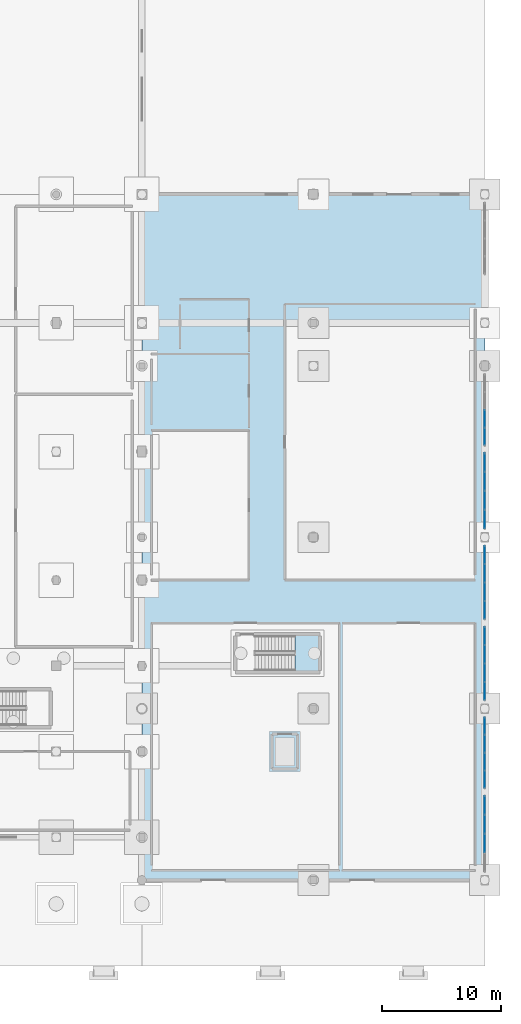
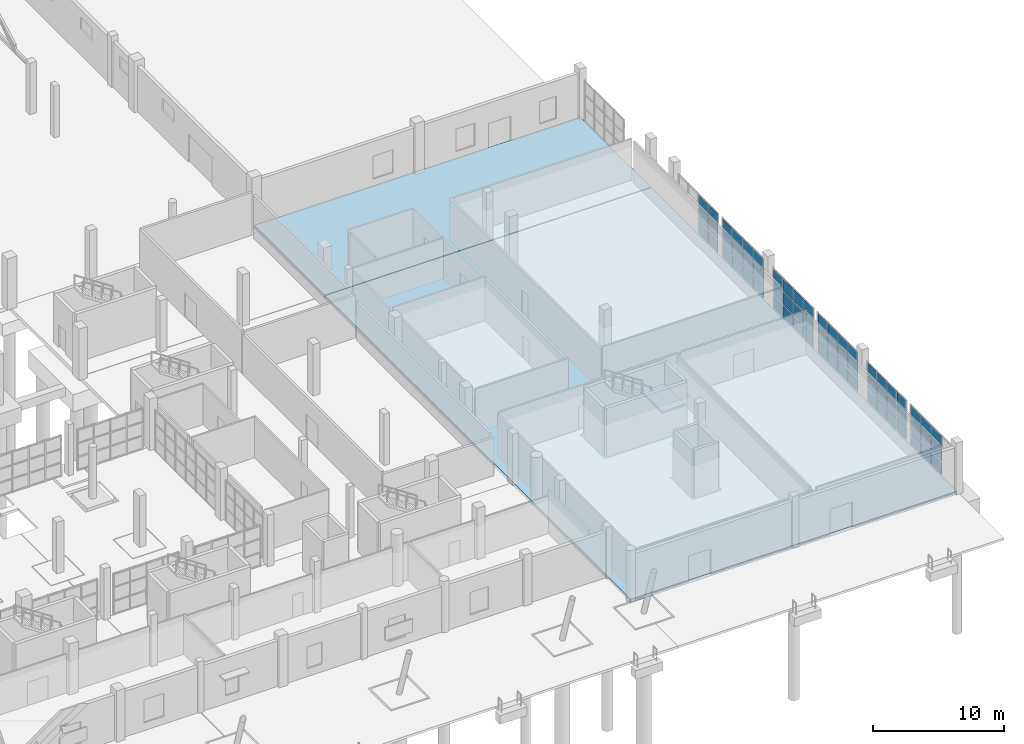
# One storey, part 184 of 285: 63 plates, 3 slabs, 7 elements without a shape of their own.
"""IFC4 building model written with IfcOpenShell, lengths in metres."""

from ifc_helpers import new_model, si_unit, direction, frame, origin, origin_2d, place, context, subcontext, project, spatial, polyline, rectangle, outline, extrude, material, layer, layer_set, type_object, element, aggregate, save


model = new_model("IFC4")

# Units and contexts
model_context = context("Model", 3, precision=1e-05, world=origin(), true_north=direction((0.0, 1.0)))
body_context = subcontext(model_context, "Body", "Model", "MODEL_VIEW")
ifc_project = project(units=[si_unit("LENGTHUNIT", "METRE"), si_unit("AREAUNIT", "SQUARE_METRE"), si_unit("VOLUMEUNIT", "CUBIC_METRE"), si_unit("PLANEANGLEUNIT", "RADIAN"), si_unit("MASSUNIT", "GRAM", prefix="KILO")], contexts=[model_context])

# Site, building, storey
site_placement = place(None, origin())
site = spatial("IfcSite", under=ifc_project, at=site_placement, CompositionType="ELEMENT")
building_placement = place(site_placement, origin())
building = spatial("IfcBuilding", under=site, at=building_placement, Name="Solanera Park Tramway Depot", CompositionType="ELEMENT")
storey_placement = place(building_placement, origin())
storey = spatial("IfcBuildingStorey", under=building, at=storey_placement, Name="L00", CompositionType="ELEMENT", Elevation=0.0)

# Curtain wall, plates
ifc_material_1 = material(Name="Bronze-anodised thermally broken aluminium curtain wall", Category="aluminium")
curtain_wall_type = type_object("IfcCurtainWallType", Name="Parkfront Loggia Curtain Wall", PredefinedType="NOTDEFINED", material=ifc_material_1)
curtain_wall_1_placement = place(storey_placement, origin())
curtain_wall_1 = element("IfcCurtainWall", 1, at=curtain_wall_1_placement, inside=storey, type_object=curtain_wall_type, Name="L00 Parkfront Loggia Curtain Wall #126", PredefinedType="NOTDEFINED")
ifc_material_2 = material(Name="Low-E laminated solar-control double glazing", Category="glass")
ifc_layer_1 = layer(ifc_material_2, 0.028076171875)
ifc_layer_set_1 = layer_set([ifc_layer_1], Name="Low-E laminated solar-control double glazing")
plate_type = type_object("IfcPlateType", Name="Curtain Wall Double Glazing Panel 28", PredefinedType="CURTAIN_PANEL", material=ifc_layer_set_1)
plate_1_placement = place(storey_placement, frame((216.0, 10.300048828125, 0.11181640625), z_axis=(0.0, 0.0, 1.0), x_axis=(0.0, 1.0, 0.0)))
plate_1 = element("IfcPlate", 2, at=plate_1_placement, type_object=plate_type, Name="CW-L00-126 Glazing Panel R1.C2", PredefinedType="CURTAIN_PANEL", context=body_context, shape_type="SweptSolid", body=[
    extrude(rectangle(XDim=1.548095703125, YDim=0.028076171875, at=origin_2d()), origin(), (0.0, 0.0, 1.0), 1.119384765625),
])
plate_2_placement = place(storey_placement, frame((216.0, 11.89990234375, 0.11181640625), z_axis=(0.0, 0.0, 1.0), x_axis=(0.0, 1.0, 0.0)))
plate_2 = element("IfcPlate", 3, at=plate_2_placement, type_object=plate_type, Name="CW-L00-126 Glazing Panel R1.C3", PredefinedType="CURTAIN_PANEL", context=body_context, shape_type="SweptSolid", body=[
    extrude(rectangle(XDim=1.548095703125, YDim=0.028076171875, at=origin_2d()), origin(), (0.0, 0.0, 1.0), 1.119384765625),
])
plate_3_placement = place(storey_placement, frame((216.0, 13.48388671875, 0.11181640625), z_axis=(0.0, 0.0, 1.0), x_axis=(0.0, 1.0, 0.0)))
plate_3 = element("IfcPlate", 4, at=plate_3_placement, type_object=plate_type, Name="CW-L00-126 Glazing Panel R1.C4", PredefinedType="CURTAIN_PANEL", context=body_context, shape_type="SweptSolid", body=[
    extrude(rectangle(XDim=1.515380859375, YDim=0.028076171875, at=origin_2d()), origin(), (0.0, 0.0, 1.0), 1.119384765625),
])
plate_4_placement = place(storey_placement, frame((216.0, 10.300048828125, 1.33544921875), z_axis=(0.0, 0.0, 1.0), x_axis=(0.0, 1.0, 0.0)))
plate_4 = element("IfcPlate", 5, at=plate_4_placement, type_object=plate_type, Name="CW-L00-126 Glazing Panel R2.C2", PredefinedType="CURTAIN_PANEL", context=body_context, shape_type="SweptSolid", body=[
    extrude(rectangle(XDim=1.548095703125, YDim=0.028076171875, at=origin_2d()), origin(), (0.0, 0.0, 1.0), 1.179443359375),
])
plate_5_placement = place(storey_placement, frame((216.0, 11.89990234375, 1.33544921875), z_axis=(0.0, 0.0, 1.0), x_axis=(0.0, 1.0, 0.0)))
plate_5 = element("IfcPlate", 6, at=plate_5_placement, type_object=plate_type, Name="CW-L00-126 Glazing Panel R2.C3", PredefinedType="CURTAIN_PANEL", context=body_context, shape_type="SweptSolid", body=[
    extrude(rectangle(XDim=1.548095703125, YDim=0.028076171875, at=origin_2d()), origin(), (0.0, 0.0, 1.0), 1.179443359375),
])
plate_6_placement = place(storey_placement, frame((216.0, 13.48388671875, 1.33544921875), z_axis=(0.0, 0.0, 1.0), x_axis=(0.0, 1.0, 0.0)))
plate_6 = element("IfcPlate", 7, at=plate_6_placement, type_object=plate_type, Name="CW-L00-126 Glazing Panel R2.C4", PredefinedType="CURTAIN_PANEL", context=body_context, shape_type="SweptSolid", body=[
    extrude(rectangle(XDim=1.515380859375, YDim=0.028076171875, at=origin_2d()), origin(), (0.0, 0.0, 1.0), 1.179443359375),
])
plate_7_placement = place(storey_placement, frame((216.0, 10.300048828125, 2.61865234375), z_axis=(0.0, 0.0, 1.0), x_axis=(0.0, 1.0, 0.0)))
plate_7 = element("IfcPlate", 8, at=plate_7_placement, type_object=plate_type, Name="CW-L00-126 Glazing Panel R3.C2", PredefinedType="CURTAIN_PANEL", context=body_context, shape_type="SweptSolid", body=[
    extrude(rectangle(XDim=1.548095703125, YDim=0.028076171875, at=origin_2d()), origin(), (0.0, 0.0, 1.0), 1.119384765625),
])
plate_8_placement = place(storey_placement, frame((216.0, 11.89990234375, 2.61865234375), z_axis=(0.0, 0.0, 1.0), x_axis=(0.0, 1.0, 0.0)))
plate_8 = element("IfcPlate", 9, at=plate_8_placement, type_object=plate_type, Name="CW-L00-126 Glazing Panel R3.C3", PredefinedType="CURTAIN_PANEL", context=body_context, shape_type="SweptSolid", body=[
    extrude(rectangle(XDim=1.548095703125, YDim=0.028076171875, at=origin_2d()), origin(), (0.0, 0.0, 1.0), 1.119384765625),
])
plate_9_placement = place(storey_placement, frame((216.0, 13.48388671875, 2.61865234375), z_axis=(0.0, 0.0, 1.0), x_axis=(0.0, 1.0, 0.0)))
plate_9 = element("IfcPlate", 10, at=plate_9_placement, type_object=plate_type, Name="CW-L00-126 Glazing Panel R3.C4", PredefinedType="CURTAIN_PANEL", context=body_context, shape_type="SweptSolid", body=[
    extrude(rectangle(XDim=1.515380859375, YDim=0.028076171875, at=origin_2d()), origin(), (0.0, 0.0, 1.0), 1.119384765625),
])
aggregate(curtain_wall_1, [plate_1, plate_2, plate_3, plate_4, plate_5, plate_6, plate_7, plate_8, plate_9])

curtain_wall_2_placement = place(storey_placement, origin())
curtain_wall_2 = element("IfcCurtainWall", 11, at=curtain_wall_2_placement, inside=storey, type_object=curtain_wall_type, Name="L00 Parkfront Loggia Curtain Wall #127", PredefinedType="NOTDEFINED")
plate_10_placement = place(storey_placement, frame((216.0, 15.666259765625, 0.11181640625), z_axis=(0.0, 0.0, 1.0), x_axis=(0.0, 1.0, 0.0)))
plate_10 = element("IfcPlate", 12, at=plate_10_placement, type_object=plate_type, Name="CW-L00-127 Glazing Panel R1.C1", PredefinedType="CURTAIN_PANEL", context=body_context, shape_type="SweptSolid", body=[
    extrude(rectangle(XDim=1.41552734375, YDim=0.028076171875, at=origin_2d()), origin(), (0.0, 0.0, 1.0), 1.119384765625),
])
plate_11_placement = place(storey_placement, frame((216.0, 17.14990234375, 0.11181640625), z_axis=(0.0, 0.0, 1.0), x_axis=(0.0, 1.0, 0.0)))
plate_11 = element("IfcPlate", 13, at=plate_11_placement, type_object=plate_type, Name="CW-L00-127 Glazing Panel R1.C2", PredefinedType="CURTAIN_PANEL", context=body_context, shape_type="SweptSolid", body=[
    extrude(rectangle(XDim=1.447998046875, YDim=0.028076171875, at=origin_2d()), origin(), (0.0, 0.0, 1.0), 1.119384765625),
])
plate_12_placement = place(storey_placement, frame((216.0, 18.64990234375, 0.11181640625), z_axis=(0.0, 0.0, 1.0), x_axis=(0.0, 1.0, 0.0)))
plate_12 = element("IfcPlate", 14, at=plate_12_placement, type_object=plate_type, Name="CW-L00-127 Glazing Panel R1.C3", PredefinedType="CURTAIN_PANEL", context=body_context, shape_type="SweptSolid", body=[
    extrude(rectangle(XDim=1.447998046875, YDim=0.028076171875, at=origin_2d()), origin(), (0.0, 0.0, 1.0), 1.119384765625),
])
plate_13_placement = place(storey_placement, frame((216.0, 20.1337890625, 0.11181640625), z_axis=(0.0, 0.0, 1.0), x_axis=(0.0, 1.0, 0.0)))
plate_13 = element("IfcPlate", 15, at=plate_13_placement, type_object=plate_type, Name="CW-L00-127 Glazing Panel R1.C4", PredefinedType="CURTAIN_PANEL", context=body_context, shape_type="SweptSolid", body=[
    extrude(rectangle(XDim=1.41552734375, YDim=0.028076171875, at=origin_2d()), origin(), (0.0, 0.0, 1.0), 1.119384765625),
])
plate_14_placement = place(storey_placement, frame((216.0, 15.666259765625, 1.33544921875), z_axis=(0.0, 0.0, 1.0), x_axis=(0.0, 1.0, 0.0)))
plate_14 = element("IfcPlate", 16, at=plate_14_placement, type_object=plate_type, Name="CW-L00-127 Glazing Panel R2.C1", PredefinedType="CURTAIN_PANEL", context=body_context, shape_type="SweptSolid", body=[
    extrude(rectangle(XDim=1.41552734375, YDim=0.028076171875, at=origin_2d()), origin(), (0.0, 0.0, 1.0), 1.179443359375),
])
plate_15_placement = place(storey_placement, frame((216.0, 17.14990234375, 1.33544921875), z_axis=(0.0, 0.0, 1.0), x_axis=(0.0, 1.0, 0.0)))
plate_15 = element("IfcPlate", 17, at=plate_15_placement, type_object=plate_type, Name="CW-L00-127 Glazing Panel R2.C2", PredefinedType="CURTAIN_PANEL", context=body_context, shape_type="SweptSolid", body=[
    extrude(rectangle(XDim=1.447998046875, YDim=0.028076171875, at=origin_2d()), origin(), (0.0, 0.0, 1.0), 1.179443359375),
])
plate_16_placement = place(storey_placement, frame((216.0, 18.64990234375, 1.33544921875), z_axis=(0.0, 0.0, 1.0), x_axis=(0.0, 1.0, 0.0)))
plate_16 = element("IfcPlate", 18, at=plate_16_placement, type_object=plate_type, Name="CW-L00-127 Glazing Panel R2.C3", PredefinedType="CURTAIN_PANEL", context=body_context, shape_type="SweptSolid", body=[
    extrude(rectangle(XDim=1.447998046875, YDim=0.028076171875, at=origin_2d()), origin(), (0.0, 0.0, 1.0), 1.179443359375),
])
plate_17_placement = place(storey_placement, frame((216.0, 20.1337890625, 1.33544921875), z_axis=(0.0, 0.0, 1.0), x_axis=(0.0, 1.0, 0.0)))
plate_17 = element("IfcPlate", 19, at=plate_17_placement, type_object=plate_type, Name="CW-L00-127 Glazing Panel R2.C4", PredefinedType="CURTAIN_PANEL", context=body_context, shape_type="SweptSolid", body=[
    extrude(rectangle(XDim=1.41552734375, YDim=0.028076171875, at=origin_2d()), origin(), (0.0, 0.0, 1.0), 1.179443359375),
])
plate_18_placement = place(storey_placement, frame((216.0, 15.666259765625, 2.61865234375), z_axis=(0.0, 0.0, 1.0), x_axis=(0.0, 1.0, 0.0)))
plate_18 = element("IfcPlate", 20, at=plate_18_placement, type_object=plate_type, Name="CW-L00-127 Glazing Panel R3.C1", PredefinedType="CURTAIN_PANEL", context=body_context, shape_type="SweptSolid", body=[
    extrude(rectangle(XDim=1.41552734375, YDim=0.028076171875, at=origin_2d()), origin(), (0.0, 0.0, 1.0), 1.119384765625),
])
plate_19_placement = place(storey_placement, frame((216.0, 17.14990234375, 2.61865234375), z_axis=(0.0, 0.0, 1.0), x_axis=(0.0, 1.0, 0.0)))
plate_19 = element("IfcPlate", 21, at=plate_19_placement, type_object=plate_type, Name="CW-L00-127 Glazing Panel R3.C2", PredefinedType="CURTAIN_PANEL", context=body_context, shape_type="SweptSolid", body=[
    extrude(rectangle(XDim=1.447998046875, YDim=0.028076171875, at=origin_2d()), origin(), (0.0, 0.0, 1.0), 1.119384765625),
])
plate_20_placement = place(storey_placement, frame((216.0, 18.64990234375, 2.61865234375), z_axis=(0.0, 0.0, 1.0), x_axis=(0.0, 1.0, 0.0)))
plate_20 = element("IfcPlate", 22, at=plate_20_placement, type_object=plate_type, Name="CW-L00-127 Glazing Panel R3.C3", PredefinedType="CURTAIN_PANEL", context=body_context, shape_type="SweptSolid", body=[
    extrude(rectangle(XDim=1.447998046875, YDim=0.028076171875, at=origin_2d()), origin(), (0.0, 0.0, 1.0), 1.119384765625),
])
plate_21_placement = place(storey_placement, frame((216.0, 20.1337890625, 2.61865234375), z_axis=(0.0, 0.0, 1.0), x_axis=(0.0, 1.0, 0.0)))
plate_21 = element("IfcPlate", 23, at=plate_21_placement, type_object=plate_type, Name="CW-L00-127 Glazing Panel R3.C4", PredefinedType="CURTAIN_PANEL", context=body_context, shape_type="SweptSolid", body=[
    extrude(rectangle(XDim=1.41552734375, YDim=0.028076171875, at=origin_2d()), origin(), (0.0, 0.0, 1.0), 1.119384765625),
])
aggregate(curtain_wall_2, [plate_10, plate_11, plate_12, plate_13, plate_14, plate_15, plate_16, plate_17, plate_18, plate_19, plate_20, plate_21])

curtain_wall_3_placement = place(storey_placement, origin())
curtain_wall_3 = element("IfcCurtainWall", 24, at=curtain_wall_3_placement, inside=storey, type_object=curtain_wall_type, Name="L00 Parkfront Loggia Curtain Wall #128", PredefinedType="NOTDEFINED")
plate_22_placement = place(storey_placement, frame((216.0, 23.09130859375, 0.11181640625), z_axis=(0.0, 0.0, 1.0), x_axis=(0.0, 1.0, 0.0)))
plate_22 = element("IfcPlate", 25, at=plate_22_placement, type_object=plate_type, Name="CW-L00-128 Glazing Panel R1.C1", PredefinedType="CURTAIN_PANEL", context=body_context, shape_type="SweptSolid", body=[
    extrude(rectangle(XDim=1.465576171875, YDim=0.028076171875, at=origin_2d()), origin(), (0.0, 0.0, 1.0), 1.119384765625),
])
plate_23_placement = place(storey_placement, frame((216.0, 24.625, 0.11181640625), z_axis=(0.0, 0.0, 1.0), x_axis=(0.0, 1.0, 0.0)))
plate_23 = element("IfcPlate", 26, at=plate_23_placement, type_object=plate_type, Name="CW-L00-128 Glazing Panel R1.C2", PredefinedType="CURTAIN_PANEL", context=body_context, shape_type="SweptSolid", body=[
    extrude(rectangle(XDim=1.498046875, YDim=0.028076171875, at=origin_2d()), origin(), (0.0, 0.0, 1.0), 1.119384765625),
])
plate_24_placement = place(storey_placement, frame((216.0, 26.175048828125, 0.11181640625), z_axis=(0.0, 0.0, 1.0), x_axis=(0.0, 1.0, 0.0)))
plate_24 = element("IfcPlate", 27, at=plate_24_placement, type_object=plate_type, Name="CW-L00-128 Glazing Panel R1.C3", PredefinedType="CURTAIN_PANEL", context=body_context, shape_type="SweptSolid", body=[
    extrude(rectangle(XDim=1.498046875, YDim=0.028076171875, at=origin_2d()), origin(), (0.0, 0.0, 1.0), 1.119384765625),
])
plate_25_placement = place(storey_placement, frame((216.0, 27.708740234375, 0.11181640625), z_axis=(0.0, 0.0, 1.0), x_axis=(0.0, 1.0, 0.0)))
plate_25 = element("IfcPlate", 28, at=plate_25_placement, type_object=plate_type, Name="CW-L00-128 Glazing Panel R1.C4", PredefinedType="CURTAIN_PANEL", context=body_context, shape_type="SweptSolid", body=[
    extrude(rectangle(XDim=1.465576171875, YDim=0.028076171875, at=origin_2d()), origin(), (0.0, 0.0, 1.0), 1.119384765625),
])
plate_26_placement = place(storey_placement, frame((216.0, 23.09130859375, 1.33544921875), z_axis=(0.0, 0.0, 1.0), x_axis=(0.0, 1.0, 0.0)))
plate_26 = element("IfcPlate", 29, at=plate_26_placement, type_object=plate_type, Name="CW-L00-128 Glazing Panel R2.C1", PredefinedType="CURTAIN_PANEL", context=body_context, shape_type="SweptSolid", body=[
    extrude(rectangle(XDim=1.465576171875, YDim=0.028076171875, at=origin_2d()), origin(), (0.0, 0.0, 1.0), 1.179443359375),
])
plate_27_placement = place(storey_placement, frame((216.0, 24.625, 1.33544921875), z_axis=(0.0, 0.0, 1.0), x_axis=(0.0, 1.0, 0.0)))
plate_27 = element("IfcPlate", 30, at=plate_27_placement, type_object=plate_type, Name="CW-L00-128 Glazing Panel R2.C2", PredefinedType="CURTAIN_PANEL", context=body_context, shape_type="SweptSolid", body=[
    extrude(rectangle(XDim=1.498046875, YDim=0.028076171875, at=origin_2d()), origin(), (0.0, 0.0, 1.0), 1.179443359375),
])
plate_28_placement = place(storey_placement, frame((216.0, 26.175048828125, 1.33544921875), z_axis=(0.0, 0.0, 1.0), x_axis=(0.0, 1.0, 0.0)))
plate_28 = element("IfcPlate", 31, at=plate_28_placement, type_object=plate_type, Name="CW-L00-128 Glazing Panel R2.C3", PredefinedType="CURTAIN_PANEL", context=body_context, shape_type="SweptSolid", body=[
    extrude(rectangle(XDim=1.498046875, YDim=0.028076171875, at=origin_2d()), origin(), (0.0, 0.0, 1.0), 1.179443359375),
])
plate_29_placement = place(storey_placement, frame((216.0, 27.708740234375, 1.33544921875), z_axis=(0.0, 0.0, 1.0), x_axis=(0.0, 1.0, 0.0)))
plate_29 = element("IfcPlate", 32, at=plate_29_placement, type_object=plate_type, Name="CW-L00-128 Glazing Panel R2.C4", PredefinedType="CURTAIN_PANEL", context=body_context, shape_type="SweptSolid", body=[
    extrude(rectangle(XDim=1.465576171875, YDim=0.028076171875, at=origin_2d()), origin(), (0.0, 0.0, 1.0), 1.179443359375),
])
plate_30_placement = place(storey_placement, frame((216.0, 23.09130859375, 2.61865234375), z_axis=(0.0, 0.0, 1.0), x_axis=(0.0, 1.0, 0.0)))
plate_30 = element("IfcPlate", 33, at=plate_30_placement, type_object=plate_type, Name="CW-L00-128 Glazing Panel R3.C1", PredefinedType="CURTAIN_PANEL", context=body_context, shape_type="SweptSolid", body=[
    extrude(rectangle(XDim=1.465576171875, YDim=0.028076171875, at=origin_2d()), origin(), (0.0, 0.0, 1.0), 1.119384765625),
])
plate_31_placement = place(storey_placement, frame((216.0, 24.625, 2.61865234375), z_axis=(0.0, 0.0, 1.0), x_axis=(0.0, 1.0, 0.0)))
plate_31 = element("IfcPlate", 34, at=plate_31_placement, type_object=plate_type, Name="CW-L00-128 Glazing Panel R3.C2", PredefinedType="CURTAIN_PANEL", context=body_context, shape_type="SweptSolid", body=[
    extrude(rectangle(XDim=1.498046875, YDim=0.028076171875, at=origin_2d()), origin(), (0.0, 0.0, 1.0), 1.119384765625),
])
plate_32_placement = place(storey_placement, frame((216.0, 26.175048828125, 2.61865234375), z_axis=(0.0, 0.0, 1.0), x_axis=(0.0, 1.0, 0.0)))
plate_32 = element("IfcPlate", 35, at=plate_32_placement, type_object=plate_type, Name="CW-L00-128 Glazing Panel R3.C3", PredefinedType="CURTAIN_PANEL", context=body_context, shape_type="SweptSolid", body=[
    extrude(rectangle(XDim=1.498046875, YDim=0.028076171875, at=origin_2d()), origin(), (0.0, 0.0, 1.0), 1.119384765625),
])
plate_33_placement = place(storey_placement, frame((216.0, 27.708740234375, 2.61865234375), z_axis=(0.0, 0.0, 1.0), x_axis=(0.0, 1.0, 0.0)))
plate_33 = element("IfcPlate", 36, at=plate_33_placement, type_object=plate_type, Name="CW-L00-128 Glazing Panel R3.C4", PredefinedType="CURTAIN_PANEL", context=body_context, shape_type="SweptSolid", body=[
    extrude(rectangle(XDim=1.465576171875, YDim=0.028076171875, at=origin_2d()), origin(), (0.0, 0.0, 1.0), 1.119384765625),
])
aggregate(curtain_wall_3, [plate_22, plate_23, plate_24, plate_25, plate_26, plate_27, plate_28, plate_29, plate_30, plate_31, plate_32, plate_33])

curtain_wall_4_placement = place(storey_placement, origin())
curtain_wall_4 = element("IfcCurtainWall", 37, at=curtain_wall_4_placement, inside=storey, type_object=curtain_wall_type, Name="L00 Parkfront Loggia Curtain Wall #129", PredefinedType="NOTDEFINED")
plate_34_placement = place(storey_placement, frame((216.0, 29.89111328125, 0.11181640625), z_axis=(0.0, 0.0, 1.0), x_axis=(0.0, 1.0, 0.0)))
plate_34 = element("IfcPlate", 38, at=plate_34_placement, type_object=plate_type, Name="CW-L00-129 Glazing Panel R1.C1", PredefinedType="CURTAIN_PANEL", context=body_context, shape_type="SweptSolid", body=[
    extrude(rectangle(XDim=1.465576171875, YDim=0.028076171875, at=origin_2d()), origin(), (0.0, 0.0, 1.0), 1.119384765625),
])
plate_35_placement = place(storey_placement, frame((216.0, 31.425048828125, 0.11181640625), z_axis=(0.0, 0.0, 1.0), x_axis=(0.0, 1.0, 0.0)))
plate_35 = element("IfcPlate", 39, at=plate_35_placement, type_object=plate_type, Name="CW-L00-129 Glazing Panel R1.C2", PredefinedType="CURTAIN_PANEL", context=body_context, shape_type="SweptSolid", body=[
    extrude(rectangle(XDim=1.498046875, YDim=0.028076171875, at=origin_2d()), origin(), (0.0, 0.0, 1.0), 1.119384765625),
])
plate_36_placement = place(storey_placement, frame((216.0, 32.97509765625, 0.11181640625), z_axis=(0.0, 0.0, 1.0), x_axis=(0.0, 1.0, 0.0)))
plate_36 = element("IfcPlate", 40, at=plate_36_placement, type_object=plate_type, Name="CW-L00-129 Glazing Panel R1.C3", PredefinedType="CURTAIN_PANEL", context=body_context, shape_type="SweptSolid", body=[
    extrude(rectangle(XDim=1.498046875, YDim=0.028076171875, at=origin_2d()), origin(), (0.0, 0.0, 1.0), 1.119384765625),
])
plate_37_placement = place(storey_placement, frame((216.0, 34.5087890625, 0.11181640625), z_axis=(0.0, 0.0, 1.0), x_axis=(0.0, 1.0, 0.0)))
plate_37 = element("IfcPlate", 41, at=plate_37_placement, type_object=plate_type, Name="CW-L00-129 Glazing Panel R1.C4", PredefinedType="CURTAIN_PANEL", context=body_context, shape_type="SweptSolid", body=[
    extrude(rectangle(XDim=1.465576171875, YDim=0.028076171875, at=origin_2d()), origin(), (0.0, 0.0, 1.0), 1.119384765625),
])
plate_38_placement = place(storey_placement, frame((216.0, 29.89111328125, 1.33544921875), z_axis=(0.0, 0.0, 1.0), x_axis=(0.0, 1.0, 0.0)))
plate_38 = element("IfcPlate", 42, at=plate_38_placement, type_object=plate_type, Name="CW-L00-129 Glazing Panel R2.C1", PredefinedType="CURTAIN_PANEL", context=body_context, shape_type="SweptSolid", body=[
    extrude(rectangle(XDim=1.465576171875, YDim=0.028076171875, at=origin_2d()), origin(), (0.0, 0.0, 1.0), 1.179443359375),
])
plate_39_placement = place(storey_placement, frame((216.0, 31.425048828125, 1.33544921875), z_axis=(0.0, 0.0, 1.0), x_axis=(0.0, 1.0, 0.0)))
plate_39 = element("IfcPlate", 43, at=plate_39_placement, type_object=plate_type, Name="CW-L00-129 Glazing Panel R2.C2", PredefinedType="CURTAIN_PANEL", context=body_context, shape_type="SweptSolid", body=[
    extrude(rectangle(XDim=1.498046875, YDim=0.028076171875, at=origin_2d()), origin(), (0.0, 0.0, 1.0), 1.179443359375),
])
plate_40_placement = place(storey_placement, frame((216.0, 32.97509765625, 1.33544921875), z_axis=(0.0, 0.0, 1.0), x_axis=(0.0, 1.0, 0.0)))
plate_40 = element("IfcPlate", 44, at=plate_40_placement, type_object=plate_type, Name="CW-L00-129 Glazing Panel R2.C3", PredefinedType="CURTAIN_PANEL", context=body_context, shape_type="SweptSolid", body=[
    extrude(rectangle(XDim=1.498046875, YDim=0.028076171875, at=origin_2d()), origin(), (0.0, 0.0, 1.0), 1.179443359375),
])
plate_41_placement = place(storey_placement, frame((216.0, 34.5087890625, 1.33544921875), z_axis=(0.0, 0.0, 1.0), x_axis=(0.0, 1.0, 0.0)))
plate_41 = element("IfcPlate", 45, at=plate_41_placement, type_object=plate_type, Name="CW-L00-129 Glazing Panel R2.C4", PredefinedType="CURTAIN_PANEL", context=body_context, shape_type="SweptSolid", body=[
    extrude(rectangle(XDim=1.465576171875, YDim=0.028076171875, at=origin_2d()), origin(), (0.0, 0.0, 1.0), 1.179443359375),
])
plate_42_placement = place(storey_placement, frame((216.0, 29.89111328125, 2.61865234375), z_axis=(0.0, 0.0, 1.0), x_axis=(0.0, 1.0, 0.0)))
plate_42 = element("IfcPlate", 46, at=plate_42_placement, type_object=plate_type, Name="CW-L00-129 Glazing Panel R3.C1", PredefinedType="CURTAIN_PANEL", context=body_context, shape_type="SweptSolid", body=[
    extrude(rectangle(XDim=1.465576171875, YDim=0.028076171875, at=origin_2d()), origin(), (0.0, 0.0, 1.0), 1.119384765625),
])
plate_43_placement = place(storey_placement, frame((216.0, 31.425048828125, 2.61865234375), z_axis=(0.0, 0.0, 1.0), x_axis=(0.0, 1.0, 0.0)))
plate_43 = element("IfcPlate", 47, at=plate_43_placement, type_object=plate_type, Name="CW-L00-129 Glazing Panel R3.C2", PredefinedType="CURTAIN_PANEL", context=body_context, shape_type="SweptSolid", body=[
    extrude(rectangle(XDim=1.498046875, YDim=0.028076171875, at=origin_2d()), origin(), (0.0, 0.0, 1.0), 1.119384765625),
])
plate_44_placement = place(storey_placement, frame((216.0, 32.97509765625, 2.61865234375), z_axis=(0.0, 0.0, 1.0), x_axis=(0.0, 1.0, 0.0)))
plate_44 = element("IfcPlate", 48, at=plate_44_placement, type_object=plate_type, Name="CW-L00-129 Glazing Panel R3.C3", PredefinedType="CURTAIN_PANEL", context=body_context, shape_type="SweptSolid", body=[
    extrude(rectangle(XDim=1.498046875, YDim=0.028076171875, at=origin_2d()), origin(), (0.0, 0.0, 1.0), 1.119384765625),
])
plate_45_placement = place(storey_placement, frame((216.0, 34.5087890625, 2.61865234375), z_axis=(0.0, 0.0, 1.0), x_axis=(0.0, 1.0, 0.0)))
plate_45 = element("IfcPlate", 49, at=plate_45_placement, type_object=plate_type, Name="CW-L00-129 Glazing Panel R3.C4", PredefinedType="CURTAIN_PANEL", context=body_context, shape_type="SweptSolid", body=[
    extrude(rectangle(XDim=1.465576171875, YDim=0.028076171875, at=origin_2d()), origin(), (0.0, 0.0, 1.0), 1.119384765625),
])
aggregate(curtain_wall_4, [plate_34, plate_35, plate_36, plate_37, plate_38, plate_39, plate_40, plate_41, plate_42, plate_43, plate_44, plate_45])

curtain_wall_5_placement = place(storey_placement, origin())
curtain_wall_5 = element("IfcCurtainWall", 50, at=curtain_wall_5_placement, inside=storey, type_object=curtain_wall_type, Name="L00 Parkfront Loggia Curtain Wall #130", PredefinedType="NOTDEFINED")
plate_46_placement = place(storey_placement, frame((216.0, 37.51611328125, 0.11181640625), z_axis=(0.0, 0.0, 1.0), x_axis=(0.0, 1.0, 0.0)))
plate_46 = element("IfcPlate", 51, at=plate_46_placement, type_object=plate_type, Name="CW-L00-130 Glazing Panel R1.C1", PredefinedType="CURTAIN_PANEL", context=body_context, shape_type="SweptSolid", body=[
    extrude(rectangle(XDim=1.515380859375, YDim=0.028076171875, at=origin_2d()), origin(), (0.0, 0.0, 1.0), 1.119384765625),
])
plate_47_placement = place(storey_placement, frame((216.0, 39.10009765625, 0.11181640625), z_axis=(0.0, 0.0, 1.0), x_axis=(0.0, 1.0, 0.0)))
plate_47 = element("IfcPlate", 52, at=plate_47_placement, type_object=plate_type, Name="CW-L00-130 Glazing Panel R1.C2", PredefinedType="CURTAIN_PANEL", context=body_context, shape_type="SweptSolid", body=[
    extrude(rectangle(XDim=1.548095703125, YDim=0.028076171875, at=origin_2d()), origin(), (0.0, 0.0, 1.0), 1.119384765625),
])
plate_48_placement = place(storey_placement, frame((216.0, 40.699951171875, 0.11181640625), z_axis=(0.0, 0.0, 1.0), x_axis=(0.0, 1.0, 0.0)))
plate_48 = element("IfcPlate", 53, at=plate_48_placement, type_object=plate_type, Name="CW-L00-130 Glazing Panel R1.C3", PredefinedType="CURTAIN_PANEL", context=body_context, shape_type="SweptSolid", body=[
    extrude(rectangle(XDim=1.548095703125, YDim=0.028076171875, at=origin_2d()), origin(), (0.0, 0.0, 1.0), 1.119384765625),
])
plate_49_placement = place(storey_placement, frame((216.0, 42.28369140625, 0.11181640625), z_axis=(0.0, 0.0, 1.0), x_axis=(0.0, 1.0, 0.0)))
plate_49 = element("IfcPlate", 54, at=plate_49_placement, type_object=plate_type, Name="CW-L00-130 Glazing Panel R1.C4", PredefinedType="CURTAIN_PANEL", context=body_context, shape_type="SweptSolid", body=[
    extrude(rectangle(XDim=1.515380859375, YDim=0.028076171875, at=origin_2d()), origin(), (0.0, 0.0, 1.0), 1.119384765625),
])
plate_50_placement = place(storey_placement, frame((216.0, 37.51611328125, 1.33544921875), z_axis=(0.0, 0.0, 1.0), x_axis=(0.0, 1.0, 0.0)))
plate_50 = element("IfcPlate", 55, at=plate_50_placement, type_object=plate_type, Name="CW-L00-130 Glazing Panel R2.C1", PredefinedType="CURTAIN_PANEL", context=body_context, shape_type="SweptSolid", body=[
    extrude(rectangle(XDim=1.515380859375, YDim=0.028076171875, at=origin_2d()), origin(), (0.0, 0.0, 1.0), 1.179443359375),
])
plate_51_placement = place(storey_placement, frame((216.0, 39.10009765625, 1.33544921875), z_axis=(0.0, 0.0, 1.0), x_axis=(0.0, 1.0, 0.0)))
plate_51 = element("IfcPlate", 56, at=plate_51_placement, type_object=plate_type, Name="CW-L00-130 Glazing Panel R2.C2", PredefinedType="CURTAIN_PANEL", context=body_context, shape_type="SweptSolid", body=[
    extrude(rectangle(XDim=1.548095703125, YDim=0.028076171875, at=origin_2d()), origin(), (0.0, 0.0, 1.0), 1.179443359375),
])
plate_52_placement = place(storey_placement, frame((216.0, 40.699951171875, 1.33544921875), z_axis=(0.0, 0.0, 1.0), x_axis=(0.0, 1.0, 0.0)))
plate_52 = element("IfcPlate", 57, at=plate_52_placement, type_object=plate_type, Name="CW-L00-130 Glazing Panel R2.C3", PredefinedType="CURTAIN_PANEL", context=body_context, shape_type="SweptSolid", body=[
    extrude(rectangle(XDim=1.548095703125, YDim=0.028076171875, at=origin_2d()), origin(), (0.0, 0.0, 1.0), 1.179443359375),
])
plate_53_placement = place(storey_placement, frame((216.0, 42.28369140625, 1.33544921875), z_axis=(0.0, 0.0, 1.0), x_axis=(0.0, 1.0, 0.0)))
plate_53 = element("IfcPlate", 58, at=plate_53_placement, type_object=plate_type, Name="CW-L00-130 Glazing Panel R2.C4", PredefinedType="CURTAIN_PANEL", context=body_context, shape_type="SweptSolid", body=[
    extrude(rectangle(XDim=1.515380859375, YDim=0.028076171875, at=origin_2d()), origin(), (0.0, 0.0, 1.0), 1.179443359375),
])
plate_54_placement = place(storey_placement, frame((216.0, 37.51611328125, 2.61865234375), z_axis=(0.0, 0.0, 1.0), x_axis=(0.0, 1.0, 0.0)))
plate_54 = element("IfcPlate", 59, at=plate_54_placement, type_object=plate_type, Name="CW-L00-130 Glazing Panel R3.C1", PredefinedType="CURTAIN_PANEL", context=body_context, shape_type="SweptSolid", body=[
    extrude(rectangle(XDim=1.515380859375, YDim=0.028076171875, at=origin_2d()), origin(), (0.0, 0.0, 1.0), 1.119384765625),
])
plate_55_placement = place(storey_placement, frame((216.0, 39.10009765625, 2.61865234375), z_axis=(0.0, 0.0, 1.0), x_axis=(0.0, 1.0, 0.0)))
plate_55 = element("IfcPlate", 60, at=plate_55_placement, type_object=plate_type, Name="CW-L00-130 Glazing Panel R3.C2", PredefinedType="CURTAIN_PANEL", context=body_context, shape_type="SweptSolid", body=[
    extrude(rectangle(XDim=1.548095703125, YDim=0.028076171875, at=origin_2d()), origin(), (0.0, 0.0, 1.0), 1.119384765625),
])
plate_56_placement = place(storey_placement, frame((216.0, 40.699951171875, 2.61865234375), z_axis=(0.0, 0.0, 1.0), x_axis=(0.0, 1.0, 0.0)))
plate_56 = element("IfcPlate", 61, at=plate_56_placement, type_object=plate_type, Name="CW-L00-130 Glazing Panel R3.C3", PredefinedType="CURTAIN_PANEL", context=body_context, shape_type="SweptSolid", body=[
    extrude(rectangle(XDim=1.548095703125, YDim=0.028076171875, at=origin_2d()), origin(), (0.0, 0.0, 1.0), 1.119384765625),
])
plate_57_placement = place(storey_placement, frame((216.0, 42.28369140625, 2.61865234375), z_axis=(0.0, 0.0, 1.0), x_axis=(0.0, 1.0, 0.0)))
plate_57 = element("IfcPlate", 62, at=plate_57_placement, type_object=plate_type, Name="CW-L00-130 Glazing Panel R3.C4", PredefinedType="CURTAIN_PANEL", context=body_context, shape_type="SweptSolid", body=[
    extrude(rectangle(XDim=1.515380859375, YDim=0.028076171875, at=origin_2d()), origin(), (0.0, 0.0, 1.0), 1.119384765625),
])
aggregate(curtain_wall_5, [plate_46, plate_47, plate_48, plate_49, plate_50, plate_51, plate_52, plate_53, plate_54, plate_55, plate_56, plate_57])

curtain_wall_6_placement = place(storey_placement, origin())
curtain_wall_6 = element("IfcCurtainWall", 63, at=curtain_wall_6_placement, inside=storey, type_object=curtain_wall_type, Name="L00 Parkfront Loggia Curtain Wall #131", PredefinedType="NOTDEFINED")
plate_58_placement = place(storey_placement, frame((216.0, 44.46630859375, 0.11181640625), z_axis=(0.0, 0.0, 1.0), x_axis=(0.0, 1.0, 0.0)))
plate_58 = element("IfcPlate", 64, at=plate_58_placement, type_object=plate_type, Name="CW-L00-131 Glazing Panel R1.C1", PredefinedType="CURTAIN_PANEL", context=body_context, shape_type="SweptSolid", body=[
    extrude(rectangle(XDim=1.41552734375, YDim=0.028076171875, at=origin_2d()), origin(), (0.0, 0.0, 1.0), 1.119384765625),
])
plate_59_placement = place(storey_placement, frame((216.0, 45.949951171875, 0.11181640625), z_axis=(0.0, 0.0, 1.0), x_axis=(0.0, 1.0, 0.0)))
plate_59 = element("IfcPlate", 65, at=plate_59_placement, type_object=plate_type, Name="CW-L00-131 Glazing Panel R1.C2", PredefinedType="CURTAIN_PANEL", context=body_context, shape_type="SweptSolid", body=[
    extrude(rectangle(XDim=1.447998046875, YDim=0.028076171875, at=origin_2d()), origin(), (0.0, 0.0, 1.0), 1.119384765625),
])
plate_60_placement = place(storey_placement, frame((216.0, 44.46630859375, 1.33544921875), z_axis=(0.0, 0.0, 1.0), x_axis=(0.0, 1.0, 0.0)))
plate_60 = element("IfcPlate", 66, at=plate_60_placement, type_object=plate_type, Name="CW-L00-131 Glazing Panel R2.C1", PredefinedType="CURTAIN_PANEL", context=body_context, shape_type="SweptSolid", body=[
    extrude(rectangle(XDim=1.41552734375, YDim=0.028076171875, at=origin_2d()), origin(), (0.0, 0.0, 1.0), 1.179443359375),
])
plate_61_placement = place(storey_placement, frame((216.0, 45.949951171875, 1.33544921875), z_axis=(0.0, 0.0, 1.0), x_axis=(0.0, 1.0, 0.0)))
plate_61 = element("IfcPlate", 67, at=plate_61_placement, type_object=plate_type, Name="CW-L00-131 Glazing Panel R2.C2", PredefinedType="CURTAIN_PANEL", context=body_context, shape_type="SweptSolid", body=[
    extrude(rectangle(XDim=1.447998046875, YDim=0.028076171875, at=origin_2d()), origin(), (0.0, 0.0, 1.0), 1.179443359375),
])
plate_62_placement = place(storey_placement, frame((216.0, 44.46630859375, 2.61865234375), z_axis=(0.0, 0.0, 1.0), x_axis=(0.0, 1.0, 0.0)))
plate_62 = element("IfcPlate", 68, at=plate_62_placement, type_object=plate_type, Name="CW-L00-131 Glazing Panel R3.C1", PredefinedType="CURTAIN_PANEL", context=body_context, shape_type="SweptSolid", body=[
    extrude(rectangle(XDim=1.41552734375, YDim=0.028076171875, at=origin_2d()), origin(), (0.0, 0.0, 1.0), 1.119384765625),
])
plate_63_placement = place(storey_placement, frame((216.0, 45.949951171875, 2.61865234375), z_axis=(0.0, 0.0, 1.0), x_axis=(0.0, 1.0, 0.0)))
plate_63 = element("IfcPlate", 69, at=plate_63_placement, type_object=plate_type, Name="CW-L00-131 Glazing Panel R3.C2", PredefinedType="CURTAIN_PANEL", context=body_context, shape_type="SweptSolid", body=[
    extrude(rectangle(XDim=1.447998046875, YDim=0.028076171875, at=origin_2d()), origin(), (0.0, 0.0, 1.0), 1.119384765625),
])
aggregate(curtain_wall_6, [plate_58, plate_59, plate_60, plate_61, plate_62, plate_63])

# Slabs
ifc_material_3 = material(Name="Concrete N40 (C40/50)", Category="concrete")
ifc_layer_2 = layer(ifc_material_3, 0.300048828125)
ifc_layer_set_2 = layer_set([ifc_layer_2], Name="Concrete N40 (C40/50)")
slab_type_1 = type_object("IfcSlabType", Name="Slab Base 300", PredefinedType="BASESLAB", material=ifc_layer_set_2)
slab_1_placement = place(storey_placement, frame((0.0, 0.0, -0.300048828125)))
element("IfcSlab", 70, at=slab_1_placement, inside=storey, type_object=slab_type_1, Name="L00 Structural Slab SL-L00-V5S", PredefinedType="BASESLAB", context=body_context, shape_type="SweptSolid", body=[
    extrude(outline(polyline([(216.0, 7.199951171875), (216.0, 53.949951171875), (187.199951171875, 53.949951171875), (187.199951171875, 7.199951171875), (216.0, 7.199951171875)])), origin(), (0.0, 0.0, 1.0), 0.300048828125),
])
slab_2_placement = place(storey_placement, frame((0.0, 0.0, -0.300048828125)))
element("IfcSlab", 71, at=slab_2_placement, inside=storey, type_object=slab_type_1, Name="L00 Structural Slab SL-L00-V5N", PredefinedType="BASESLAB", context=body_context, shape_type="SweptSolid", body=[
    extrude(outline(polyline([(216.0, 54.0), (216.0, 64.800048828125), (187.199951171875, 64.800048828125), (187.199951171875, 54.0), (216.0, 54.0)])), origin(), (0.0, 0.0, 1.0), 0.300048828125),
])

# Stair, slab
ifc_material_4 = material(Name="Concrete N40 (C40/50)", Category="concrete")
stair_type = type_object("IfcStairType", Name="Stair Half-Turn Dogleg 4800", PredefinedType="HALF_TURN_STAIR", material=ifc_material_4)
stair_placement = place(storey_placement, origin())
stair = element("IfcStair", 72, at=stair_placement, inside=storey, type_object=stair_type, Name="ST-10 L00 Half-Turn Stair", PredefinedType="HALF_TURN_STAIR")
ifc_material_5 = material(Name="Concrete N40 (C40/50)", Category="concrete")
ifc_layer_3 = layer(ifc_material_5, 0.199951171875)
ifc_layer_set_3 = layer_set([ifc_layer_3], Name="Concrete N40 (C40/50)")
slab_type_2 = type_object("IfcSlabType", Name="Slab Stair Landing 200", PredefinedType="LANDING", material=ifc_layer_set_3)
slab_3_placement = place(storey_placement, frame((0.0, 0.0, 2.199951171875)))
slab_3 = element("IfcSlab", 73, at=slab_3_placement, type_object=slab_type_2, Name="ST-10 L00 Half-Landing 1", PredefinedType="LANDING", context=body_context, shape_type="SweptSolid", body=[
    extrude(outline(polyline([(200.06005859375, 24.679931640625), (202.1201171875, 24.679931640625), (202.1201171875, 27.820068359375), (200.06005859375, 27.820068359375), (200.06005859375, 24.679931640625)])), origin(), (0.0, 0.0, 1.0), 0.199951171875),
])
aggregate(stair, [slab_3])

save(model, "model.ifc")
